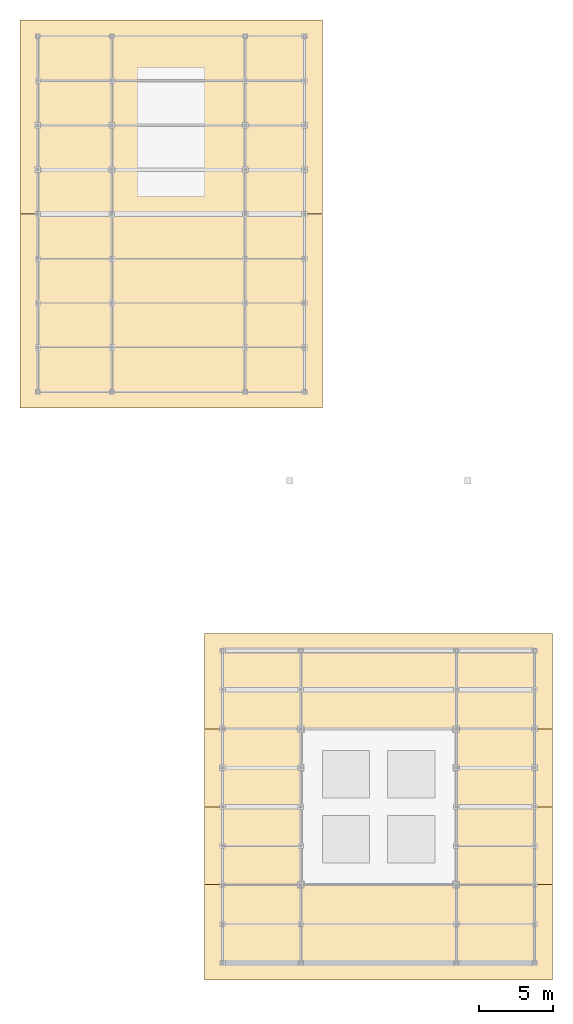
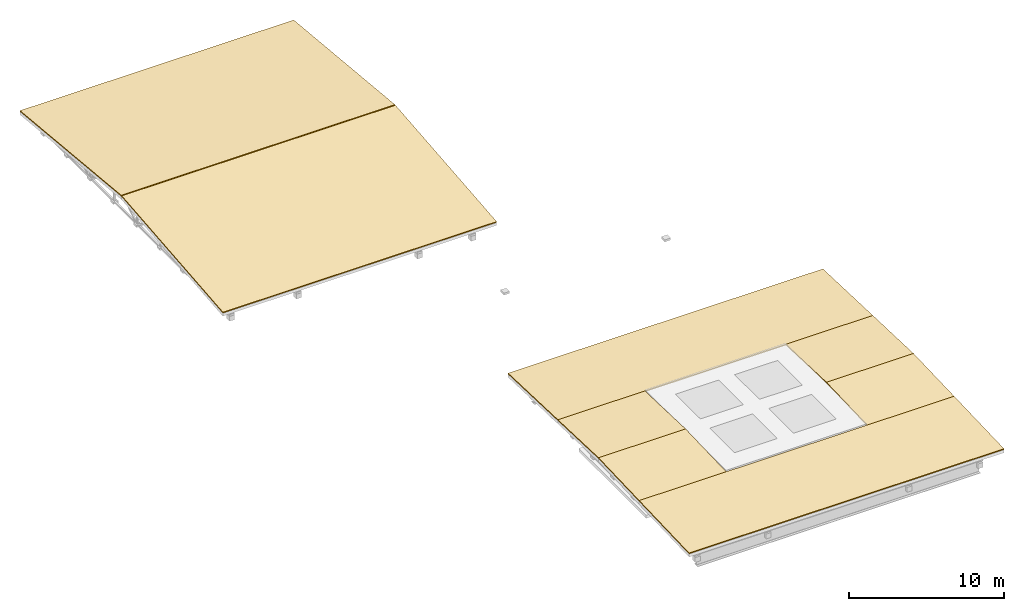
# One storey, part 25 of 25: 8 coverings.
"""IFC4 building model written with IfcOpenShell, lengths in metres."""

from ifc_helpers import new_model, si_unit, direction, frame, origin, place, context, subcontext, project, spatial, polyline, outline, extrude, material, layer, layer_set, type_object, element, save


model = new_model("IFC4")

# Units and contexts
model_context = context("Model", 3, precision=1e-05, world=origin(), true_north=direction((0.0, 1.0)))
body_context = subcontext(model_context, "Body", "Model", "MODEL_VIEW")
ifc_project = project(units=[si_unit("LENGTHUNIT", "METRE"), si_unit("AREAUNIT", "SQUARE_METRE"), si_unit("VOLUMEUNIT", "CUBIC_METRE"), si_unit("PLANEANGLEUNIT", "RADIAN"), si_unit("MASSUNIT", "GRAM", prefix="KILO"), si_unit("THERMODYNAMICTEMPERATUREUNIT", "KELVIN"), si_unit("POWERUNIT", "WATT")], contexts=[model_context])

# Site, building, storey
site_placement = place(None, origin())
site = spatial("IfcSite", under=ifc_project, at=site_placement, CompositionType="ELEMENT")
building_placement = place(site_placement, origin())
building = spatial("IfcBuilding", under=site, at=building_placement, Name="Zelmaris Science Centre", CompositionType="ELEMENT")
storey_placement = place(building_placement, frame((0.0, 0.0, 30.0)))
storey = spatial("IfcBuildingStorey", under=building, at=storey_placement, Name="RF", CompositionType="ELEMENT", Elevation=30.0)

# Coverings
ifc_material = material(Name="Standing-seam aluminium-zinc roofing membrane", Category="aluminium")
ifc_layer = layer(ifc_material, 0.080078125, Name="Standing-seam aluminium-zinc roofing membrane")
ifc_layer_set = layer_set([ifc_layer], Name="Standing-seam aluminium-zinc roofing membrane")
covering_type = type_object("IfcCoveringType", Name="Roofing Membrane RFG-01 80mm", PredefinedType="ROOFING", material=ifc_layer_set)
for number, where, z_axis, x_axis, name in (
    (1, (56.800048828125, 62.89990234375, 1.774658203125), (0.0, -0.095391203525, 0.995439861714), (1.0, 0.0, 0.0), "RF-V5 Standing-seam roofing S"),
    (2, (56.800048828125, 76.0380859375, 3.0263671875), (0.0, 0.095391203525, 0.995439861714), (1.0, 0.0, 0.0), "RF-V5 Standing-seam roofing N"),
):
    element("IfcCovering", number, at=place(storey_placement, frame(where, z_axis=z_axis, x_axis=x_axis)), inside=storey, type_object=covering_type, Name=name, PredefinedType="ROOFING", context=body_context, shape_type="SweptSolid", body=[
        extrude(outline(polyline([(0.0, 0.0), (20.39990234375, 0.0), (20.39990234375, 13.121849165507406), (0.0, 13.121849165507406), (0.0, 0.0)])), origin(), (0.0, 0.0, -1.0), 0.080078125),
    ])
for number, where, z_axis, x_axis, name in (
    (3, (69.26416015625, 24.314208984375, 1.83837890625), (0.0, -0.036052568188, 0.999349894845), (1.0, 0.0, 0.0), "RF-V2 Standing-seam roofing S"),
    (4, (69.26416015625, 41.25, 2.070556640625), (0.0, 0.036052568188, 0.999349894845), (1.0, 0.0, 0.0), "RF-V2 Standing-seam roofing N"),
):
    element("IfcCovering", number, at=place(storey_placement, frame(where, z_axis=z_axis, x_axis=x_axis)), inside=storey, type_object=covering_type, Name=name, PredefinedType="ROOFING", context=body_context, shape_type="SweptSolid", body=[
        extrude(outline(polyline([(0.0, 0.0), (23.4716796875, 0.0), (23.4716796875, 6.4399776783106155), (0.0, 6.4399776783106155), (0.0, 0.0)])), origin(), (0.0, 0.0, -1.0), 0.080078125),
    ])
for number, where, z_axis, x_axis, name in (
    (5, (69.26416015625, 30.75, 2.070556640625), (0.0, -0.036062836259, 0.999349524361), (1.0, 0.0, 0.0), "RF-V2 Standing-seam roofing WS"),
    (6, (69.26416015625, 36.0, 2.260009765625), (0.0, 0.036062836259, 0.999349524361), (1.0, 0.0, 0.0), "RF-V2 Standing-seam roofing WN"),
    (7, (86.25, 30.75, 2.070556640625), (0.0, -0.036062836259, 0.999349524361), (1.0, 0.0, 0.0), "RF-V2 Standing-seam roofing ES"),
    (8, (86.25, 36.0, 2.260009765625), (0.0, 0.036062836259, 0.999349524361), (1.0, 0.0, 0.0), "RF-V2 Standing-seam roofing EN"),
):
    element("IfcCovering", number, at=place(storey_placement, frame(where, z_axis=z_axis, x_axis=x_axis)), inside=storey, type_object=covering_type, Name=name, PredefinedType="ROOFING", context=body_context, shape_type="SweptSolid", body=[
        extrude(outline(polyline([(0.0, 0.0), (6.48583984375, 0.0), (6.48583984375, 5.253417219921931), (0.0, 5.253417219921931), (0.0, 0.0)])), origin(), (0.0, 0.0, -1.0), 0.080078125),
    ])

save(model, "model.ifc")
